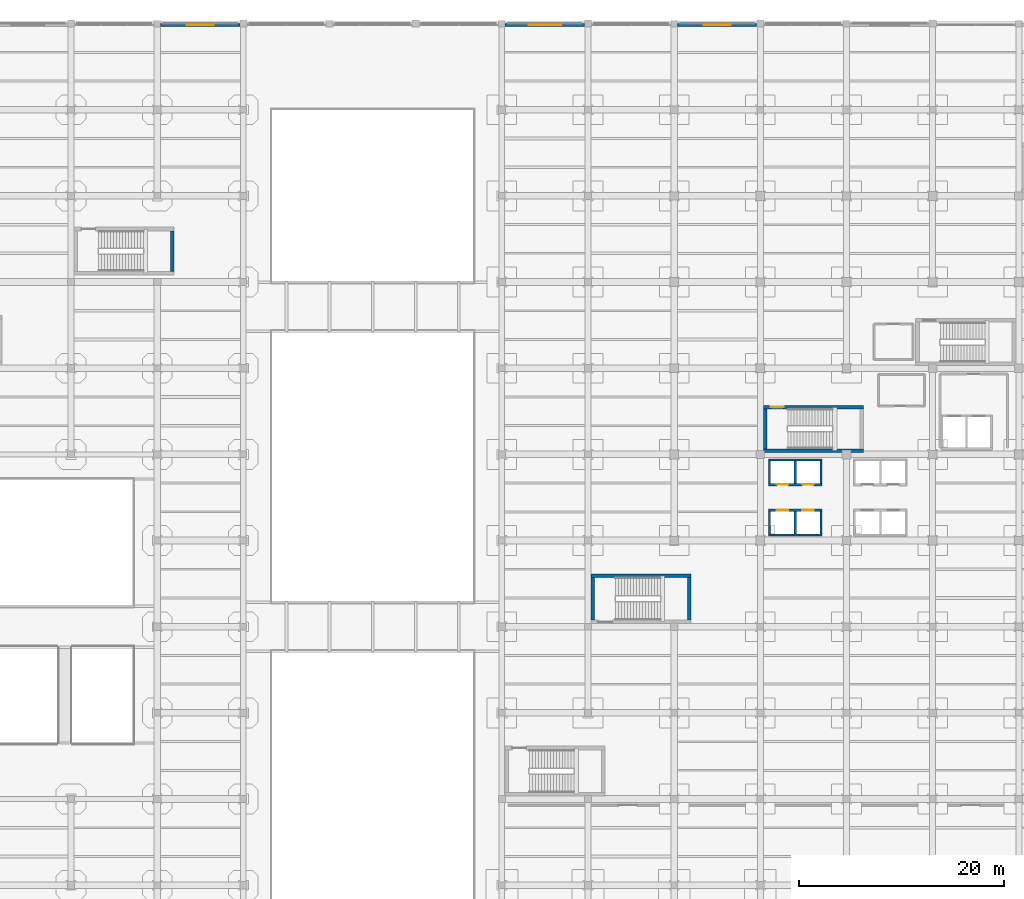
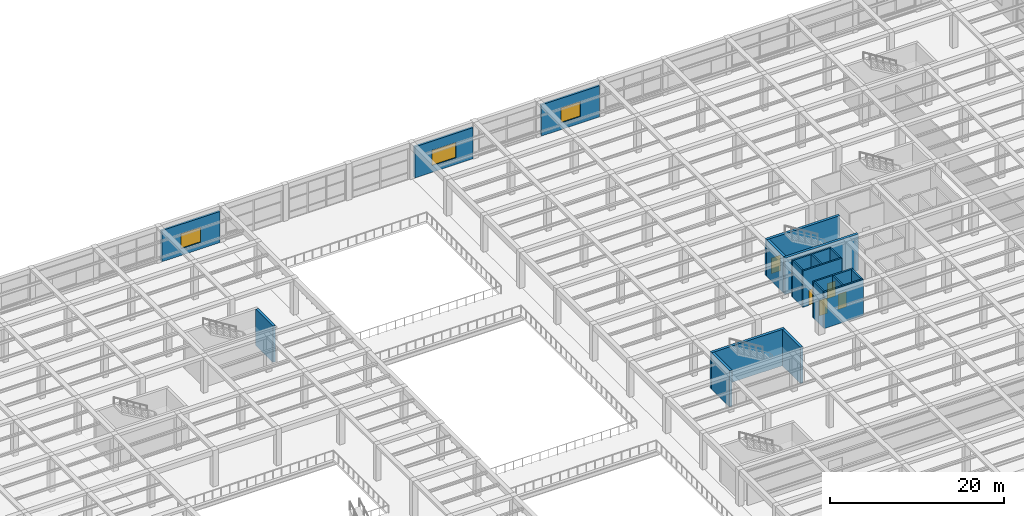
# One storey, part 80 of 96: 20 walls, 5 doors, 3 windows, 8 openings.
"""IFC4 building model written with IfcOpenShell, lengths in metres."""

from ifc_helpers import new_model, si_unit, direction, frame, frame_2d, origin, place, context, subcontext, project, spatial, rectangle, extrude, material, layer, layer_set, type_object, element, fill, save


model = new_model("IFC4")

# Units and contexts
model_context = context("Model", 3, precision=1e-05, world=origin(), true_north=direction((0.0, 1.0)))
body_context = subcontext(model_context, "Body", "Model", "MODEL_VIEW")
ifc_project = project(units=[si_unit("LENGTHUNIT", "METRE"), si_unit("AREAUNIT", "SQUARE_METRE"), si_unit("VOLUMEUNIT", "CUBIC_METRE"), si_unit("PLANEANGLEUNIT", "RADIAN"), si_unit("MASSUNIT", "GRAM", prefix="KILO")], contexts=[model_context])

# Site, building, storey
site_placement = place(None, origin())
site = spatial("IfcSite", under=ifc_project, at=site_placement, CompositionType="ELEMENT")
building_placement = place(site_placement, origin())
building = spatial("IfcBuilding", under=site, at=building_placement, Name="Almacenes y Pasaje Nevantli", CompositionType="ELEMENT")
storey_placement = place(building_placement, frame((0.0, 0.0, 6.0)))
storey = spatial("IfcBuildingStorey", under=building, at=storey_placement, Name="L02", CompositionType="ELEMENT", Elevation=6.0)

# Wall
ifc_material_1 = material(Name="Concrete C45/55", Category="concrete")
ifc_layer_1 = layer(ifc_material_1, 0.35009765625)
ifc_layer_set_1 = layer_set([ifc_layer_1], Name="Concrete C45/55")
wall_type_1 = type_object("IfcWallType", Name="WL-CORE-350", PredefinedType="SHEAR", material=ifc_layer_set_1)
wall_1_placement = place(storey_placement, frame((117.89990234375, 75.97509765625, 0.0), z_axis=(0.0, 0.0, 1.0), x_axis=(1.0, 0.0, 0.0)))
element("IfcWall", 1, at=wall_1_placement, inside=storey, type_object=wall_type_1, Name="L02 Exit Stair ST-01 South Core Shear Wall", PredefinedType="SHEAR", context=body_context, shape_type="SweptSolid", body=[
    extrude(rectangle(XDim=9.75, YDim=0.35009765625, at=frame_2d((4.875, 0.0))), origin(), (0.0, 0.0, 1.0), 5.10009765625),
])

# Wall, opening, door
wall_2_placement = place(storey_placement, frame((117.89990234375, 80.215087890625, 0.0), z_axis=(0.0, 0.0, 1.0), x_axis=(1.0, 0.0, 0.0)))
wall_2 = element("IfcWall", 2, at=wall_2_placement, inside=storey, type_object=wall_type_1, Name="L02 Exit Stair ST-01 North Core Shear Wall", PredefinedType="SHEAR", context=body_context, shape_type="SweptSolid", body=[
    extrude(rectangle(XDim=9.75, YDim=0.35009765625, at=frame_2d((4.875, 0.0))), origin(), (0.0, 0.0, 1.0), 5.10009765625),
])
opening_1_placement = place(wall_2_placement, frame((0.719970703125, 0.0, 0.0)))
opening_1 = element("IfcOpeningElement", 3, at=opening_1_placement, cuts=wall_2, Name="Opening SD-01-L02", PredefinedType="OPENING", context=body_context, shape_type="SweptSolid", body=[
    extrude(rectangle(XDim=1.25, YDim=2.199951171875, at=frame_2d((0.625, 1.10009765625))), frame((0.0, 0.18505859375, 0.0), z_axis=(0.0, -1.0, 0.0), x_axis=(1.0, 0.0, 0.0)), (0.0, 0.0, 1.0), 0.3701171875),
])
ifc_material_2 = material(Name="Galvanized Fire-Rated Steel", Category="steel")
door_type_1 = type_object("IfcDoorType", Name="DR-STAIR-1250", OperationType="SINGLE_SWING_LEFT", PredefinedType="DOOR", material=ifc_material_2)
door_1_placement = place(opening_1_placement, origin())
door_1 = element("IfcDoor", 4, at=door_1_placement, inside=storey, type_object=door_type_1, Name="L02 Smokeproof Exit Stair ST-01 Fire Door", OperationType="SINGLE_SWING_LEFT", OverallHeight=2.199951171875, OverallWidth=1.25, PredefinedType="DOOR", context=body_context, shape_type="SweptSolid", body=[
    extrude(rectangle(XDim=1.25, YDim=2.199951171875, at=frame_2d((0.625, 1.10009765625))), frame((0.0, 0.02490234375, 0.0), z_axis=(0.0, -1.0, 0.0), x_axis=(1.0, 0.0, 0.0)), (0.0, 0.0, 1.0), 0.050048828125),
])
fill(opening_1, door_1)

# Walls
wall_3_placement = place(storey_placement, frame((118.074951171875, 76.14990234375, 0.0), z_axis=(0.0, 0.0, 1.0), x_axis=(0.0, 1.0, 0.0)))
element("IfcWall", 5, at=wall_3_placement, inside=storey, type_object=wall_type_1, Name="L02 Exit Stair ST-01 West Core Shear Wall", PredefinedType="SHEAR", context=body_context, shape_type="SweptSolid", body=[
    extrude(rectangle(XDim=3.89013671875, YDim=0.35009765625, at=frame_2d((1.945068359375, 0.0))), origin(), (0.0, 0.0, 1.0), 5.10009765625),
])
wall_4_placement = place(storey_placement, frame((60.27490234375, 93.449951171875, 0.0), z_axis=(0.0, 0.0, 1.0), x_axis=(0.0, 1.0, 0.0)))
element("IfcWall", 6, at=wall_4_placement, inside=storey, type_object=wall_type_1, Name="L02 Exit Stair ST-05 East Core Shear Wall", PredefinedType="SHEAR", context=body_context, shape_type="SweptSolid", body=[
    extrude(rectangle(XDim=3.949951171875, YDim=0.35009765625, at=frame_2d((1.97509765625, 0.0))), origin(), (0.0, 0.0, 1.0), 5.10009765625),
])
wall_5_placement = place(storey_placement, frame((101.10009765625, 63.77490234375, 0.0), z_axis=(0.0, 0.0, 1.0), x_axis=(1.0, 0.0, 0.0)))
element("IfcWall", 7, at=wall_5_placement, inside=storey, type_object=wall_type_1, Name="L02 Exit Stair ST-13 North Core Shear Wall", PredefinedType="SHEAR", context=body_context, shape_type="SweptSolid", body=[
    extrude(rectangle(XDim=9.75, YDim=0.35009765625, at=frame_2d((4.875, 0.0))), origin(), (0.0, 0.0, 1.0), 5.10009765625),
])
for number, where, z_axis, x_axis, name in (
    (8, (101.27490234375, 59.449951171875, 0.0), (0.0, 0.0, 1.0), (0.0, 1.0, 0.0), "L02 Exit Stair ST-13 West Core Shear Wall"),
    (9, (110.675048828125, 59.449951171875, 0.0), (0.0, 0.0, 1.0), (0.0, 1.0, 0.0), "L02 Exit Stair ST-13 East Core Shear Wall"),
):
    element("IfcWall", number, at=place(storey_placement, frame(where, z_axis=z_axis, x_axis=x_axis)), inside=storey, type_object=wall_type_1, Name=name, PredefinedType="SHEAR", context=body_context, shape_type="SweptSolid", body=[
        extrude(rectangle(XDim=4.150146484375, YDim=0.35009765625, at=frame_2d((2.0751953125, 0.0))), origin(), (0.0, 0.0, 1.0), 5.10009765625),
    ])

# Wall, opening, window
ifc_material_3 = material(Name="Architectural Precast Concrete C35/45 Spandrel Wall", Category="concrete")
ifc_layer_2 = layer(ifc_material_3, 0.280029296875)
ifc_layer_set_2 = layer_set([ifc_layer_2], Name="Architectural Precast Concrete C35/45 Spandrel Wall")
wall_type_2 = type_object("IfcWallType", Name="WL-EXT-CANTERA-280", PredefinedType="SOLIDWALL", material=ifc_layer_set_2)
wall_6_placement = place(storey_placement, frame((59.1279296875, 117.449951171875, 0.0), z_axis=(0.0, 0.0, 1.0), x_axis=(1.0, 0.0, 0.0)))
wall_6 = element("IfcWall", 10, at=wall_6_placement, inside=storey, type_object=wall_type_2, Name="L02 North Boulevard Cantera Spandrel Wall Bay 8", PredefinedType="SOLIDWALL", context=body_context, shape_type="SweptSolid", body=[
    extrude(rectangle(XDim=7.719970703125, YDim=0.280029296875, at=frame_2d((3.85986328125, 0.0))), origin(), (0.0, 0.0, 1.0), 4.3798828125),
])
opening_2_placement = place(wall_6_placement, frame((2.572021484375, 0.0, 0.949951171875)))
opening_2 = element("IfcOpeningElement", 11, at=opening_2_placement, cuts=wall_6, Name="Opening WT-13-055", PredefinedType="OPENING", context=body_context, shape_type="SweptSolid", body=[
    extrude(rectangle(XDim=2.60009765625, YDim=2.10009765625, at=frame_2d((1.300048828125, 1.050048828125))), frame((0.0, 0.14990234375, 0.0), z_axis=(0.0, -1.0, 0.0), x_axis=(1.0, 0.0, 0.0)), (0.0, 0.0, 1.0), 0.300048828125),
])
ifc_material_4 = material(Name="Thermally Broken Aluminium and Low-E Double Glazing", Category="aluminium")
window_type_1 = type_object("IfcWindowType", Name="WN-POD-2600x2100", PartitioningType="SINGLE_PANEL", PredefinedType="WINDOW", material=ifc_material_4)
window_1_placement = place(opening_2_placement, origin())
window_1 = element("IfcWindow", 12, at=window_1_placement, inside=storey, type_object=window_type_1, Name="L02 Exterior Window WT-13 #55", OverallHeight=2.10009765625, OverallWidth=2.60009765625, PartitioningType="SINGLE_PANEL", PredefinedType="WINDOW", context=body_context, shape_type="SweptSolid", body=[
    extrude(rectangle(XDim=2.60009765625, YDim=2.10009765625, at=frame_2d((1.300048828125, 1.050048828125))), frame((0.0, 0.030029296875, 0.0), z_axis=(0.0, -1.0, 0.0), x_axis=(1.0, 0.0, 0.0)), (0.0, 0.0, 1.0), 0.06005859375),
])
fill(opening_2, window_1)

wall_7_placement = place(storey_placement, frame((92.72802734375, 117.449951171875, 0.0), z_axis=(0.0, 0.0, 1.0), x_axis=(1.0, 0.0, 0.0)))
wall_7 = element("IfcWall", 13, at=wall_7_placement, inside=storey, type_object=wall_type_2, Name="L02 North Boulevard Cantera Spandrel Wall Bay 12", PredefinedType="SOLIDWALL", context=body_context, shape_type="SweptSolid", body=[
    extrude(rectangle(XDim=7.719970703125, YDim=0.280029296875, at=frame_2d((3.85986328125, 0.0))), origin(), (0.0, 0.0, 1.0), 4.3798828125),
])
opening_3_placement = place(wall_7_placement, frame((2.27197265625, 0.0, 0.949951171875)))
opening_3 = element("IfcOpeningElement", 14, at=opening_3_placement, cuts=wall_7, Name="Opening WT-11-056", PredefinedType="OPENING", context=body_context, shape_type="SweptSolid", body=[
    extrude(rectangle(XDim=3.199951171875, YDim=2.14990234375, at=frame_2d((1.60009765625, 1.074951171875))), frame((0.0, 0.14990234375, 0.0), z_axis=(0.0, -1.0, 0.0), x_axis=(1.0, 0.0, 0.0)), (0.0, 0.0, 1.0), 0.300048828125),
])
ifc_material_5 = material(Name="Thermally Broken Aluminium and Low-E Double Glazing", Category="aluminium")
window_type_2 = type_object("IfcWindowType", Name="WN-POD-3200x2150", PartitioningType="SINGLE_PANEL", PredefinedType="WINDOW", material=ifc_material_5)
window_2_placement = place(opening_3_placement, origin())
window_2 = element("IfcWindow", 15, at=window_2_placement, inside=storey, type_object=window_type_2, Name="L02 Exterior Window WT-11 #56", OverallHeight=2.14990234375, OverallWidth=3.199951171875, PartitioningType="SINGLE_PANEL", PredefinedType="WINDOW", context=body_context, shape_type="SweptSolid", body=[
    extrude(rectangle(XDim=3.199951171875, YDim=2.14990234375, at=frame_2d((1.60009765625, 1.074951171875))), frame((0.0, 0.030029296875, 0.0), z_axis=(0.0, -1.0, 0.0), x_axis=(1.0, 0.0, 0.0)), (0.0, 0.0, 1.0), 0.06005859375),
])
fill(opening_3, window_2)

wall_8_placement = place(storey_placement, frame((109.528076171875, 117.449951171875, 0.0), z_axis=(0.0, 0.0, 1.0), x_axis=(1.0, 0.0, 0.0)))
wall_8 = element("IfcWall", 16, at=wall_8_placement, inside=storey, type_object=wall_type_2, Name="L02 North Boulevard Cantera Spandrel Wall Bay 14", PredefinedType="SOLIDWALL", context=body_context, shape_type="SweptSolid", body=[
    extrude(rectangle(XDim=7.718017578125, YDim=0.280029296875, at=frame_2d((3.85888671875, 0.0))), origin(), (0.0, 0.0, 1.0), 4.3798828125),
])
opening_4_placement = place(wall_8_placement, frame((2.572021484375, 0.0, 0.949951171875)))
opening_4 = element("IfcOpeningElement", 17, at=opening_4_placement, cuts=wall_8, Name="Opening WT-13-057", PredefinedType="OPENING", context=body_context, shape_type="SweptSolid", body=[
    extrude(rectangle(XDim=2.60009765625, YDim=2.10009765625, at=frame_2d((1.300048828125, 1.050048828125))), frame((0.0, 0.14990234375, 0.0), z_axis=(0.0, -1.0, 0.0), x_axis=(1.0, 0.0, 0.0)), (0.0, 0.0, 1.0), 0.300048828125),
])
window_3_placement = place(opening_4_placement, origin())
window_3 = element("IfcWindow", 18, at=window_3_placement, inside=storey, type_object=window_type_1, Name="L02 Exterior Window WT-13 #57", OverallHeight=2.10009765625, OverallWidth=2.60009765625, PartitioningType="SINGLE_PANEL", PredefinedType="WINDOW", context=body_context, shape_type="SweptSolid", body=[
    extrude(rectangle(XDim=2.60009765625, YDim=2.10009765625, at=frame_2d((1.300048828125, 1.050048828125))), frame((0.0, 0.030029296875, 0.0), z_axis=(0.0, -1.0, 0.0), x_axis=(1.0, 0.0, 0.0)), (0.0, 0.0, 1.0), 0.06005859375),
])
fill(opening_4, window_3)

# Wall
ifc_material_6 = material(Name="Concrete C45/55", Category="concrete")
ifc_layer_3 = layer(ifc_material_6, 0.2099609375)
ifc_layer_set_3 = layer_set([ifc_layer_3], Name="Concrete C45/55")
wall_type_3 = type_object("IfcWallType", Name="WL-SHAFT-210", PredefinedType="SHEAR", material=ifc_layer_set_3)
wall_9_placement = place(storey_placement, frame((118.389892578125, 67.7451171875, 0.0), z_axis=(0.0, 0.0, 1.0), x_axis=(1.0, 0.0, 0.0)))
element("IfcWall", 19, at=wall_9_placement, inside=storey, type_object=wall_type_3, Name="L02 Lift Hoistway ELV-P05-ELV-P06 South Wall", PredefinedType="SHEAR", context=body_context, shape_type="SweptSolid", body=[
    extrude(rectangle(XDim=5.22021484375, YDim=0.2099609375, at=frame_2d((2.610107421875, 0.0))), origin(), (0.0, 0.0, 1.0), 5.10009765625),
])

# Wall, openings, doors
wall_10_placement = place(storey_placement, frame((118.389892578125, 70.155029296875, 0.0), z_axis=(0.0, 0.0, 1.0), x_axis=(1.0, 0.0, 0.0)))
wall_10 = element("IfcWall", 20, at=wall_10_placement, inside=storey, type_object=wall_type_3, Name="L02 Lift Hoistway ELV-P05-ELV-P06 North Wall", PredefinedType="SHEAR", context=body_context, shape_type="SweptSolid", body=[
    extrude(rectangle(XDim=5.22021484375, YDim=0.2099609375, at=frame_2d((2.610107421875, 0.0))), origin(), (0.0, 0.0, 1.0), 5.10009765625),
])
opening_5_placement = place(wall_10_placement, frame((0.81005859375, 0.0, 0.0)))
opening_5 = element("IfcOpeningElement", 21, at=opening_5_placement, cuts=wall_10, Name="Opening LD-P05-L02", PredefinedType="OPENING", context=body_context, shape_type="SweptSolid", body=[
    extrude(rectangle(XDim=1.10009765625, YDim=2.14990234375, at=frame_2d((0.550048828125, 1.074951171875))), frame((0.0, 0.114990234375, 0.0), z_axis=(0.0, -1.0, 0.0), x_axis=(1.0, 0.0, 0.0)), (0.0, 0.0, 1.0), 0.22998046875),
])
opening_6_placement = place(wall_10_placement, frame((3.31005859375, 0.0, 0.0)))
opening_6 = element("IfcOpeningElement", 22, at=opening_6_placement, cuts=wall_10, Name="Opening LD-P06-L02", PredefinedType="OPENING", context=body_context, shape_type="SweptSolid", body=[
    extrude(rectangle(XDim=1.10009765625, YDim=2.14990234375, at=frame_2d((0.550048828125, 1.074951171875))), frame((0.0, 0.114990234375, 0.0), z_axis=(0.0, -1.0, 0.0), x_axis=(1.0, 0.0, 0.0)), (0.0, 0.0, 1.0), 0.22998046875),
])
ifc_material_7 = material(Name="Brushed Stainless Steel", Category="steel")
door_type_2 = type_object("IfcDoorType", Name="DR-LD-PASS-1100", OperationType="DOUBLE_DOOR_SLIDING", PredefinedType="DOOR", material=ifc_material_7)
door_2_placement = place(opening_5_placement, origin())
door_2 = element("IfcDoor", 23, at=door_2_placement, inside=storey, type_object=door_type_2, Name="Lift Landing Door ELV-P05 L02", OperationType="DOUBLE_DOOR_SLIDING", OverallHeight=2.14990234375, OverallWidth=1.10009765625, PredefinedType="DOOR", context=body_context, shape_type="SweptSolid", body=[
    extrude(rectangle(XDim=1.10009765625, YDim=2.14990234375, at=frame_2d((0.550048828125, 1.074951171875))), frame((0.0, 0.02490234375, 0.0), z_axis=(0.0, -1.0, 0.0), x_axis=(1.0, 0.0, 0.0)), (0.0, 0.0, 1.0), 0.050048828125),
])
fill(opening_5, door_2)
door_3_placement = place(opening_6_placement, origin())
door_3 = element("IfcDoor", 24, at=door_3_placement, inside=storey, type_object=door_type_2, Name="Lift Landing Door ELV-P06 L02", OperationType="DOUBLE_DOOR_SLIDING", OverallHeight=2.14990234375, OverallWidth=1.10009765625, PredefinedType="DOOR", context=body_context, shape_type="SweptSolid", body=[
    extrude(rectangle(XDim=1.10009765625, YDim=2.14990234375, at=frame_2d((0.550048828125, 1.074951171875))), frame((0.0, 0.02490234375, 0.0), z_axis=(0.0, -1.0, 0.0), x_axis=(1.0, 0.0, 0.0)), (0.0, 0.0, 1.0), 0.050048828125),
])
fill(opening_6, door_3)

# Walls
for number, where, z_axis, x_axis, name in (
    (25, (118.4951171875, 67.85009765625, 0.0), (0.0, 0.0, 1.0), (0.0, 1.0, 0.0), "L02 Lift Hoistway ELV-P05 West Wall"),
    (26, (123.5048828125, 67.85009765625, 0.0), (0.0, 0.0, 1.0), (0.0, 1.0, 0.0), "L02 Lift Hoistway ELV-P06 East Wall"),
    (27, (121.0, 67.85009765625, 0.0), (0.0, 0.0, 1.0), (0.0, 1.0, 0.0), "L02 Lift Hoistway Divider Wall ELV-P05/ELV-P06"),
):
    element("IfcWall", number, at=place(storey_placement, frame(where, z_axis=z_axis, x_axis=x_axis)), inside=storey, type_object=wall_type_3, Name=name, PredefinedType="SHEAR", context=body_context, shape_type="SweptSolid", body=[
        extrude(rectangle(XDim=2.199951171875, YDim=0.2099609375, at=frame_2d((1.10009765625, 0.0))), origin(), (0.0, 0.0, 1.0), 5.10009765625),
    ])

# Wall, openings, doors
wall_11_placement = place(storey_placement, frame((118.389892578125, 72.64501953125, 0.0), z_axis=(0.0, 0.0, 1.0), x_axis=(1.0, 0.0, 0.0)))
wall_11 = element("IfcWall", 28, at=wall_11_placement, inside=storey, type_object=wall_type_3, Name="L02 Lift Hoistway ELV-P07-ELV-P08 South Wall", PredefinedType="SHEAR", context=body_context, shape_type="SweptSolid", body=[
    extrude(rectangle(XDim=5.22021484375, YDim=0.2099609375, at=frame_2d((2.610107421875, 0.0))), origin(), (0.0, 0.0, 1.0), 5.10009765625),
])
opening_7_placement = place(wall_11_placement, frame((0.81005859375, 0.0, 0.0)))
opening_7 = element("IfcOpeningElement", 29, at=opening_7_placement, cuts=wall_11, Name="Opening LD-P07-L02", PredefinedType="OPENING", context=body_context, shape_type="SweptSolid", body=[
    extrude(rectangle(XDim=1.10009765625, YDim=2.14990234375, at=frame_2d((0.550048828125, 1.074951171875))), frame((0.0, 0.114990234375, 0.0), z_axis=(0.0, -1.0, 0.0), x_axis=(1.0, 0.0, 0.0)), (0.0, 0.0, 1.0), 0.22998046875),
])
opening_8_placement = place(wall_11_placement, frame((3.31005859375, 0.0, 0.0)))
opening_8 = element("IfcOpeningElement", 30, at=opening_8_placement, cuts=wall_11, Name="Opening LD-P08-L02", PredefinedType="OPENING", context=body_context, shape_type="SweptSolid", body=[
    extrude(rectangle(XDim=1.10009765625, YDim=2.14990234375, at=frame_2d((0.550048828125, 1.074951171875))), frame((0.0, 0.114990234375, 0.0), z_axis=(0.0, -1.0, 0.0), x_axis=(1.0, 0.0, 0.0)), (0.0, 0.0, 1.0), 0.22998046875),
])
door_4_placement = place(opening_7_placement, origin())
door_4 = element("IfcDoor", 31, at=door_4_placement, inside=storey, type_object=door_type_2, Name="Lift Landing Door ELV-P07 L02", OperationType="DOUBLE_DOOR_SLIDING", OverallHeight=2.14990234375, OverallWidth=1.10009765625, PredefinedType="DOOR", context=body_context, shape_type="SweptSolid", body=[
    extrude(rectangle(XDim=1.10009765625, YDim=2.14990234375, at=frame_2d((0.550048828125, 1.074951171875))), frame((0.0, 0.02490234375, 0.0), z_axis=(0.0, -1.0, 0.0), x_axis=(1.0, 0.0, 0.0)), (0.0, 0.0, 1.0), 0.050048828125),
])
fill(opening_7, door_4)
door_5_placement = place(opening_8_placement, origin())
door_5 = element("IfcDoor", 32, at=door_5_placement, inside=storey, type_object=door_type_2, Name="Lift Landing Door ELV-P08 L02", OperationType="DOUBLE_DOOR_SLIDING", OverallHeight=2.14990234375, OverallWidth=1.10009765625, PredefinedType="DOOR", context=body_context, shape_type="SweptSolid", body=[
    extrude(rectangle(XDim=1.10009765625, YDim=2.14990234375, at=frame_2d((0.550048828125, 1.074951171875))), frame((0.0, 0.02490234375, 0.0), z_axis=(0.0, -1.0, 0.0), x_axis=(1.0, 0.0, 0.0)), (0.0, 0.0, 1.0), 0.050048828125),
])
fill(opening_8, door_5)

# Walls
wall_12_placement = place(storey_placement, frame((118.389892578125, 75.054931640625, 0.0), z_axis=(0.0, 0.0, 1.0), x_axis=(1.0, 0.0, 0.0)))
element("IfcWall", 33, at=wall_12_placement, inside=storey, type_object=wall_type_3, Name="L02 Lift Hoistway ELV-P07-ELV-P08 North Wall", PredefinedType="SHEAR", context=body_context, shape_type="SweptSolid", body=[
    extrude(rectangle(XDim=5.22021484375, YDim=0.2099609375, at=frame_2d((2.610107421875, 0.0))), origin(), (0.0, 0.0, 1.0), 5.10009765625),
])
for number, where, z_axis, x_axis, name in (
    (34, (118.4951171875, 72.75, 0.0), (0.0, 0.0, 1.0), (0.0, 1.0, 0.0), "L02 Lift Hoistway ELV-P07 West Wall"),
    (35, (123.5048828125, 72.75, 0.0), (0.0, 0.0, 1.0), (0.0, 1.0, 0.0), "L02 Lift Hoistway ELV-P08 East Wall"),
    (36, (121.0, 72.75, 0.0), (0.0, 0.0, 1.0), (0.0, 1.0, 0.0), "L02 Lift Hoistway Divider Wall ELV-P07/ELV-P08"),
):
    element("IfcWall", number, at=place(storey_placement, frame(where, z_axis=z_axis, x_axis=x_axis)), inside=storey, type_object=wall_type_3, Name=name, PredefinedType="SHEAR", context=body_context, shape_type="SweptSolid", body=[
        extrude(rectangle(XDim=2.199951171875, YDim=0.2099609375, at=frame_2d((1.10009765625, 0.0))), origin(), (0.0, 0.0, 1.0), 5.10009765625),
    ])

save(model, "model.ifc")
